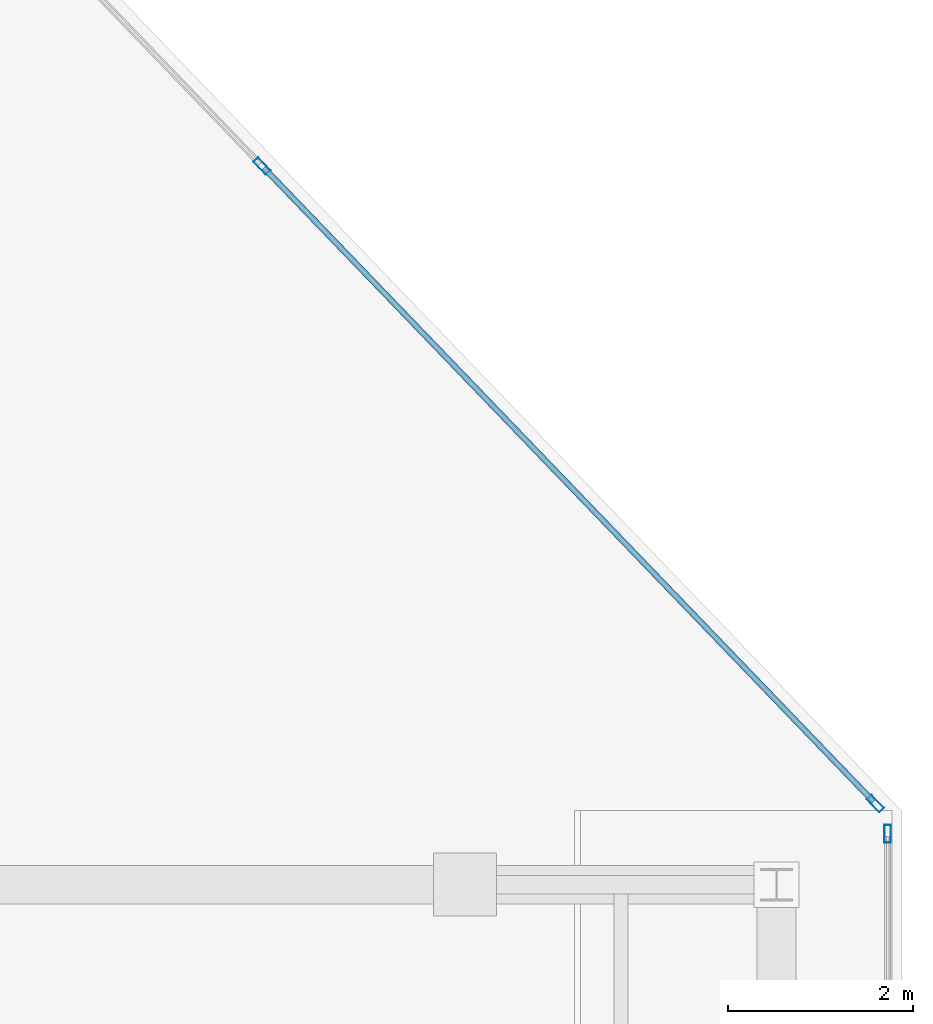
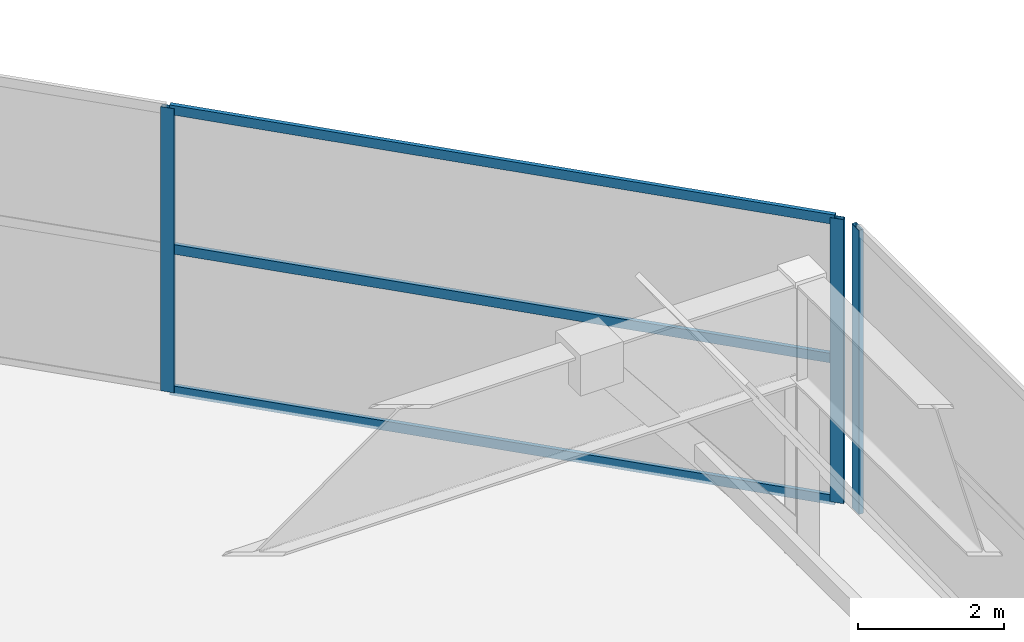
# One storey, part 13 of 22: 6 members, 2 elements without a shape of their own.
"""IFC4 building model written with IfcOpenShell, lengths in metres."""

from ifc_helpers import new_model, si_unit, direction, frame, origin, origin_2d, place, context, subcontext, project, spatial, hollow_rectangle, extrude, material, layer, layer_set, material_profile, profile_set, type_object, element, aggregate, save


model = new_model("IFC4")

# Units and contexts
model_context = context("Model", 3, precision=1e-05, world=origin(), true_north=direction((0.0, 1.0)))
body_context = subcontext(model_context, "Body", "Model", "MODEL_VIEW")
ifc_project = project(units=[si_unit("LENGTHUNIT", "METRE"), si_unit("AREAUNIT", "SQUARE_METRE"), si_unit("VOLUMEUNIT", "CUBIC_METRE"), si_unit("PLANEANGLEUNIT", "RADIAN"), si_unit("MASSUNIT", "GRAM", prefix="KILO")], contexts=[model_context])

# Site, building, storey
site_placement = place(None, origin())
site = spatial("IfcSite", under=ifc_project, at=site_placement, CompositionType="ELEMENT")
building_placement = place(site_placement, origin())
building = spatial("IfcBuilding", under=site, at=building_placement, Name="Calvorn Quay Hotel", CompositionType="ELEMENT")
storey_placement = place(building_placement, frame((0.0, 0.0, 325.5)))
storey = spatial("IfcBuildingStorey", under=building, at=storey_placement, Name="L80", CompositionType="ELEMENT", Elevation=325.5)

# Curtain wall, member
ifc_material_1 = material(Name="Pale Anodised Aluminium and Laminated Glass", Category="aluminium")
ifc_layer = layer(ifc_material_1, 0.219970703125)
ifc_layer_set = layer_set([ifc_layer], Name="CW-SYS-CRN")
curtain_wall_type = type_object("IfcCurtainWallType", Name="CW-SYS-CRN", PredefinedType="NOTDEFINED", material=ifc_layer_set)
curtain_wall_1_placement = place(storey_placement, origin())
curtain_wall_1 = element("IfcCurtainWall", 1, at=curtain_wall_1_placement, inside=storey, type_object=curtain_wall_type, Name="Crown Curtain Wall L80-C2", PredefinedType="NOTDEFINED")
ifc_material_2 = material(Name="Pale Anodised Aluminium 6063-T6", Category="aluminium")
ifc_material_profile_1 = material_profile(ifc_material_2, hollow_rectangle(XDim=0.072021484375, YDim=0.195068359375, WallThickness=0.00390625, at=origin_2d()), Name="ALU-M195x72x4")
ifc_profile_set_1 = profile_set([ifc_material_profile_1], Name="Pale Anodised Aluminium 6063-T6")
member_type_1 = type_object("IfcMemberType", Name="CW-SYS-CRN-MUL", PredefinedType="MULLION", material=ifc_profile_set_1)
member_1_placement = place(storey_placement, frame((31.31689453125, 24.14990234375, 0.0), z_axis=(0.0, 0.0, 1.0), x_axis=(-1.0, 0.0, 0.0)))
member_1 = element("IfcMember", 2, at=member_1_placement, type_object=member_type_1, Name="CW-L80-C2 mullion 3", PredefinedType="MULLION", context=body_context, shape_type="SweptSolid", body=[
    extrude(hollow_rectangle(XDim=0.072021484375, YDim=0.195068359375, WallThickness=0.00390625, at=origin_2d()), origin(), (0.0, 0.0, 1.0), 4.760009765625),
])
aggregate(curtain_wall_1, [member_1])

# Curtain wall, members
curtain_wall_2_placement = place(storey_placement, origin())
curtain_wall_2 = element("IfcCurtainWall", 3, at=curtain_wall_2_placement, inside=storey, type_object=curtain_wall_type, Name="Crown Curtain Wall L80-C3", PredefinedType="NOTDEFINED")
member_2_placement = place(storey_placement, frame((31.185302734375, 24.4765625, 0.0), z_axis=(0.0, 0.0, 1.0), x_axis=(-0.720707853232, -0.69323891285, 0.0)))
member_2 = element("IfcMember", 4, at=member_2_placement, type_object=member_type_1, Name="CW-L80-C3 mullion 1", PredefinedType="MULLION", context=body_context, shape_type="SweptSolid", body=[
    extrude(hollow_rectangle(XDim=0.072021484375, YDim=0.195068359375, WallThickness=0.00390625, at=origin_2d()), origin(), (0.0, 0.0, 1.0), 4.760009765625),
])
member_3_placement = place(storey_placement, frame((24.555908203125, 31.368408203125, 0.0), z_axis=(0.0, 0.0, 1.0), x_axis=(-0.720707853232, -0.69323891285, 0.0)))
member_3 = element("IfcMember", 5, at=member_3_placement, type_object=member_type_1, Name="CW-L80-C3 mullion 2", PredefinedType="MULLION", context=body_context, shape_type="SweptSolid", body=[
    extrude(hollow_rectangle(XDim=0.072021484375, YDim=0.195068359375, WallThickness=0.00390625, at=origin_2d()), origin(), (0.0, 0.0, 1.0), 4.760009765625),
])
ifc_material_3 = material(Name="Pale Anodised Aluminium 6063-T6", Category="aluminium")
ifc_material_profile_2 = material_profile(ifc_material_3, hollow_rectangle(XDim=0.06201171875, YDim=0.159912109375, WallThickness=0.00341796875, at=origin_2d()), Name="ALU-T160x62x3.5")
ifc_profile_set_2 = profile_set([ifc_material_profile_2], Name="Pale Anodised Aluminium 6063-T6")
member_type_2 = type_object("IfcMemberType", Name="CW-SYS-CRN-TRN", PredefinedType="USERDEFINED", material=ifc_profile_set_2)
member_4_placement = place(storey_placement, frame((31.164306640625, 24.498291015625, 0.030029296875), z_axis=(-0.693227827117, 0.720718516281, 0.0), x_axis=(-0.720718516281, -0.693227827117, 0.0)))
member_4 = element("IfcMember", 6, at=member_4_placement, type_object=member_type_2, Name="CW-L80-C3 transom 1.1", ObjectType="TRANSOM", PredefinedType="USERDEFINED", context=body_context, shape_type="SweptSolid", body=[
    extrude(hollow_rectangle(XDim=0.06201171875, YDim=0.159912109375, WallThickness=0.00341796875, at=origin_2d()), origin(), (0.0, 0.0, 1.0), 9.50244140625),
])
member_5_placement = place(storey_placement, frame((31.164306640625, 24.498291015625, 2.39990234375), z_axis=(-0.693227827117, 0.720718516281, 0.0), x_axis=(-0.720718516281, -0.693227827117, 0.0)))
member_5 = element("IfcMember", 7, at=member_5_placement, type_object=member_type_2, Name="CW-L80-C3 transom 1.2", ObjectType="TRANSOM", PredefinedType="USERDEFINED", context=body_context, shape_type="SweptSolid", body=[
    extrude(hollow_rectangle(XDim=0.06201171875, YDim=0.159912109375, WallThickness=0.00341796875, at=origin_2d()), origin(), (0.0, 0.0, 1.0), 9.50244140625),
])
member_6_placement = place(storey_placement, frame((31.164306640625, 24.498291015625, 4.72998046875), z_axis=(-0.693227827117, 0.720718516281, 0.0), x_axis=(-0.720718516281, -0.693227827117, 0.0)))
member_6 = element("IfcMember", 8, at=member_6_placement, type_object=member_type_2, Name="CW-L80-C3 transom 1.3", ObjectType="TRANSOM", PredefinedType="USERDEFINED", context=body_context, shape_type="SweptSolid", body=[
    extrude(hollow_rectangle(XDim=0.06201171875, YDim=0.159912109375, WallThickness=0.00341796875, at=origin_2d()), origin(), (0.0, 0.0, 1.0), 9.50244140625),
])
aggregate(curtain_wall_2, [member_2, member_3, member_4, member_5, member_6])

save(model, "model.ifc")
